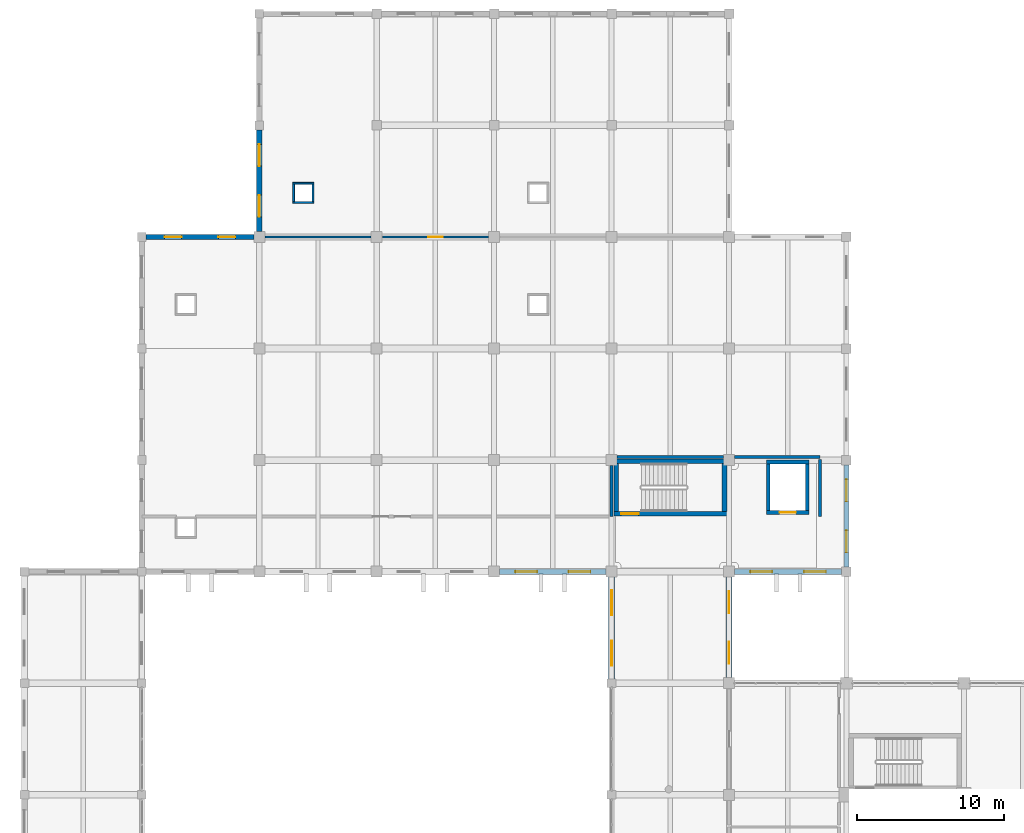
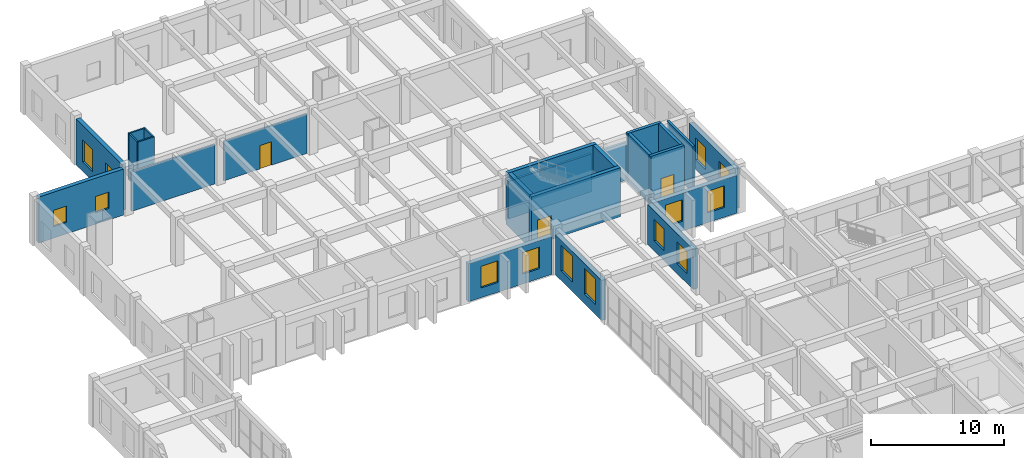
# One storey, part 58 of 79: 25 walls, 14 windows, 3 doors, 17 openings.
"""IFC4 building model written with IfcOpenShell, lengths in metres."""

from ifc_helpers import new_model, si_unit, direction, frame, frame_2d, origin, place, context, subcontext, project, spatial, rectangle, extrude, material, layer, layer_set, type_object, element, fill, save


model = new_model("IFC4")

# Units and contexts
model_context = context("Model", 3, precision=1e-05, world=origin(), true_north=direction((0.0, 1.0)))
body_context = subcontext(model_context, "Body", "Model", "MODEL_VIEW")
ifc_project = project(units=[si_unit("LENGTHUNIT", "METRE"), si_unit("AREAUNIT", "SQUARE_METRE"), si_unit("VOLUMEUNIT", "CUBIC_METRE"), si_unit("PLANEANGLEUNIT", "RADIAN"), si_unit("MASSUNIT", "GRAM", prefix="KILO")], contexts=[model_context])

# Site, building, storey
site_placement = place(None, origin())
site = spatial("IfcSite", under=ifc_project, at=site_placement, CompositionType="ELEMENT")
building_placement = place(site_placement, origin())
building = spatial("IfcBuilding", under=site, at=building_placement, Name="Zantavel Square City Hall", CompositionType="ELEMENT")
storey_placement = place(building_placement, frame((0.0, 0.0, 10.199951171875)))
storey = spatial("IfcBuildingStorey", under=building, at=storey_placement, Name="L03", CompositionType="ELEMENT", Elevation=10.199951171875)

# Wall, openings, windows
ifc_material_1 = material(Name="Cantera volcanic tuff stone", Category="masonry")
ifc_layer_1 = layer(ifc_material_1, 0.39990234375, Name="Cantera volcanic tuff stone")
ifc_layer_set_1 = layer_set([ifc_layer_1], Name="Cantera volcanic tuff stone")
wall_type_1 = type_object("IfcWallType", Name="Civic Pavilion Cantera Ashlar Wall 400mm", PredefinedType="STANDARD", material=ifc_layer_set_1)
wall_1_placement = place(storey_placement, frame((56.0, 75.625, 0.0), z_axis=(0.0, 0.0, 1.0), x_axis=(0.0, -1.0, 0.0)))
wall_1 = element("IfcWall", 1, at=wall_1_placement, inside=storey, type_object=wall_type_1, Name="L03 Exterior Wall EW-L03-022", PredefinedType="STANDARD", context=body_context, shape_type="SweptSolid", body=[
    extrude(rectangle(XDim=6.85009765625, YDim=0.39990234375, at=frame_2d((3.425048828125, 0.0))), origin(), (0.0, 0.0, 1.0), 3.670166015625),
])
opening_1_placement = place(wall_1_placement, frame((0.96240234375, 0.0, 0.89990234375)))
opening_1 = element("IfcOpeningElement", 2, at=opening_1_placement, cuts=wall_1, Name="Opening W-322", PredefinedType="OPENING", context=body_context, shape_type="SweptSolid", body=[
    extrude(rectangle(XDim=1.5, YDim=2.0, at=frame_2d((0.75, 1.0))), frame((0.0, 0.2099609375, 0.0), z_axis=(0.0, -1.0, 0.0), x_axis=(1.0, 0.0, 0.0)), (0.0, 0.0, 1.0), 0.419921875),
])
opening_2_placement = place(wall_1_placement, frame((4.387451171875, 0.0, 0.89990234375)))
opening_2 = element("IfcOpeningElement", 3, at=opening_2_placement, cuts=wall_1, Name="Opening W-323", PredefinedType="OPENING", context=body_context, shape_type="SweptSolid", body=[
    extrude(rectangle(XDim=1.5, YDim=2.0, at=frame_2d((0.75, 1.0))), frame((0.0, 0.2099609375, 0.0), z_axis=(0.0, -1.0, 0.0), x_axis=(1.0, 0.0, 0.0)), (0.0, 0.0, 1.0), 0.419921875),
])
ifc_material_2 = material(Name="Tempered safety glass low-E double glazing", Category="glass")
window_type_1 = type_object("IfcWindowType", Name="Window Planning Studio 1500x2000", PartitioningType="DOUBLE_PANEL_VERTICAL", PredefinedType="WINDOW", material=ifc_material_2)
window_1_placement = place(opening_1_placement, origin())
window_1 = element("IfcWindow", 4, at=window_1_placement, inside=storey, type_object=window_type_1, Name="L03 Window W-322", OverallHeight=2.0, OverallWidth=1.5, PartitioningType="DOUBLE_PANEL_VERTICAL", PredefinedType="WINDOW", context=body_context, shape_type="SweptSolid", body=[
    extrude(rectangle(XDim=1.5, YDim=2.0, at=frame_2d((0.75, 1.0))), frame((0.0, 0.030029296875, 0.0), z_axis=(0.0, -1.0, 0.0), x_axis=(1.0, 0.0, 0.0)), (0.0, 0.0, 1.0), 0.06005859375),
])
fill(opening_1, window_1)
window_2_placement = place(opening_2_placement, origin())
window_2 = element("IfcWindow", 5, at=window_2_placement, inside=storey, type_object=window_type_1, Name="L03 Window W-323", OverallHeight=2.0, OverallWidth=1.5, PartitioningType="DOUBLE_PANEL_VERTICAL", PredefinedType="WINDOW", context=body_context, shape_type="SweptSolid", body=[
    extrude(rectangle(XDim=1.5, YDim=2.0, at=frame_2d((0.75, 1.0))), frame((0.0, 0.030029296875, 0.0), z_axis=(0.0, -1.0, 0.0), x_axis=(1.0, 0.0, 0.0)), (0.0, 0.0, 1.0), 0.06005859375),
])
fill(opening_2, window_2)

wall_2_placement = place(storey_placement, frame((48.0, 68.699951171875, 0.0), z_axis=(0.0, 0.0, 1.0), x_axis=(0.0, 1.0, 0.0)))
wall_2 = element("IfcWall", 6, at=wall_2_placement, inside=storey, type_object=wall_type_1, Name="L03 Exterior Wall EW-L03-074", PredefinedType="STANDARD", context=body_context, shape_type="SweptSolid", body=[
    extrude(rectangle(XDim=6.925048828125, YDim=0.39990234375, at=frame_2d((3.46240234375, 0.0))), origin(), (0.0, 0.0, 1.0), 3.670166015625),
])
opening_3_placement = place(wall_2_placement, frame((0.881103515625, 0.0, 0.89990234375)))
opening_3 = element("IfcOpeningElement", 7, at=opening_3_placement, cuts=wall_2, Name="Opening W-372", PredefinedType="OPENING", context=body_context, shape_type="SweptSolid", body=[
    extrude(rectangle(XDim=1.699951171875, YDim=2.35009765625, at=frame_2d((0.85009765625, 1.175048828125))), frame((0.0, 0.2099609375, 0.0), z_axis=(0.0, -1.0, 0.0), x_axis=(1.0, 0.0, 0.0)), (0.0, 0.0, 1.0), 0.419921875),
])
opening_4_placement = place(wall_2_placement, frame((4.34375, 0.0, 0.89990234375)))
opening_4 = element("IfcOpeningElement", 8, at=opening_4_placement, cuts=wall_2, Name="Opening W-373", PredefinedType="OPENING", context=body_context, shape_type="SweptSolid", body=[
    extrude(rectangle(XDim=1.699951171875, YDim=2.35009765625, at=frame_2d((0.85009765625, 1.175048828125))), frame((0.0, 0.2099609375, 0.0), z_axis=(0.0, -1.0, 0.0), x_axis=(1.0, 0.0, 0.0)), (0.0, 0.0, 1.0), 0.419921875),
])
window_type_2 = type_object("IfcWindowType", Name="Window Library Reading Tall 1700x2350", PartitioningType="DOUBLE_PANEL_VERTICAL", PredefinedType="WINDOW", material=ifc_material_2)
window_3_placement = place(opening_3_placement, origin())
window_3 = element("IfcWindow", 9, at=window_3_placement, inside=storey, type_object=window_type_2, Name="L03 Window W-372", OverallHeight=2.35009765625, OverallWidth=1.699951171875, PartitioningType="DOUBLE_PANEL_VERTICAL", PredefinedType="WINDOW", context=body_context, shape_type="SweptSolid", body=[
    extrude(rectangle(XDim=1.699951171875, YDim=2.35009765625, at=frame_2d((0.85009765625, 1.175048828125))), frame((0.0, 0.030029296875, 0.0), z_axis=(0.0, -1.0, 0.0), x_axis=(1.0, 0.0, 0.0)), (0.0, 0.0, 1.0), 0.06005859375),
])
fill(opening_3, window_3)
window_4_placement = place(opening_4_placement, origin())
window_4 = element("IfcWindow", 10, at=window_4_placement, inside=storey, type_object=window_type_2, Name="L03 Window W-373", OverallHeight=2.35009765625, OverallWidth=1.699951171875, PartitioningType="DOUBLE_PANEL_VERTICAL", PredefinedType="WINDOW", context=body_context, shape_type="SweptSolid", body=[
    extrude(rectangle(XDim=1.699951171875, YDim=2.35009765625, at=frame_2d((0.85009765625, 1.175048828125))), frame((0.0, 0.030029296875, 0.0), z_axis=(0.0, -1.0, 0.0), x_axis=(1.0, 0.0, 0.0)), (0.0, 0.0, 1.0), 0.06005859375),
])
fill(opening_4, window_4)

# Wall, opening, door
ifc_material_3 = material(Name="Concrete C40/50", Category="concrete")
ifc_layer_2 = layer(ifc_material_3, 0.320068359375, Name="Concrete C40/50")
ifc_layer_set_2 = layer_set([ifc_layer_2], Name="Concrete C40/50")
wall_type_2 = type_object("IfcWallType", Name="Core Shear Wall RC 320mm C40/50", PredefinedType="SHEAR", material=ifc_layer_set_2)
wall_3_placement = place(storey_placement, frame((55.85009765625, 79.93994140625, 0.0), z_axis=(0.0, 0.0, 1.0), x_axis=(-1.0, 0.0, 0.0)))
wall_3 = element("IfcWall", 11, at=wall_3_placement, inside=storey, type_object=wall_type_2, Name="L03 Exit Stair 1 North-West Core Shear Wall South", PredefinedType="SHEAR", context=body_context, shape_type="SweptSolid", body=[
    extrude(rectangle(XDim=7.7001953125, YDim=0.320068359375, at=frame_2d((3.85009765625, 0.0))), origin(), (0.0, 0.0, 1.0), 4.5),
])
opening_5_placement = place(wall_3_placement, frame((6.0, 0.0, 0.0)))
opening_5 = element("IfcOpeningElement", 12, at=opening_5_placement, cuts=wall_3, Name="Opening SD-004", PredefinedType="OPENING", context=body_context, shape_type="SweptSolid", body=[
    extrude(rectangle(XDim=1.199951171875, YDim=2.199951171875, at=frame_2d((0.60009765625, 1.10009765625))), frame((0.0, 0.169921875, 0.0), z_axis=(0.0, -1.0, 0.0), x_axis=(1.0, 0.0, 0.0)), (0.0, 0.0, 1.0), 0.340087890625),
])
ifc_material_4 = material(Name="Steel ASTM A500 Grade B", Category="steel")
door_type_1 = type_object("IfcDoorType", Name="Enclosed Exit Stairwell Fire Door 1200x2200 FD90S", OperationType="NOTDEFINED", PredefinedType="DOOR", material=ifc_material_4)
door_1_placement = place(opening_5_placement, origin())
door_1 = element("IfcDoor", 13, at=door_1_placement, inside=storey, type_object=door_type_1, Name="L03 Exit Stair 1 North-West Core Fire Door", OperationType="SINGLE_SWING_RIGHT", OverallHeight=2.199951171875, OverallWidth=1.199951171875, PredefinedType="DOOR", context=body_context, shape_type="SweptSolid", body=[
    extrude(rectangle(XDim=1.199951171875, YDim=2.199951171875, at=frame_2d((0.60009765625, 1.10009765625))), frame((0.0, 0.02490234375, 0.0), z_axis=(0.0, -1.0, 0.0), x_axis=(1.0, 0.0, 0.0)), (0.0, 0.0, 1.0), 0.050048828125),
])
fill(opening_5, door_1)

# Walls
wall_4_placement = place(storey_placement, frame((48.31005859375, 80.10009765625, 0.0), z_axis=(0.0, 0.0, 1.0), x_axis=(0.0, 1.0, 0.0)))
element("IfcWall", 14, at=wall_4_placement, inside=storey, type_object=wall_type_2, Name="L03 Exit Stair 1 North-West Core Shear Wall West", PredefinedType="SHEAR", context=body_context, shape_type="SweptSolid", body=[
    extrude(rectangle(XDim=3.27001953125, YDim=0.320068359375, at=frame_2d((1.635009765625, 0.0))), origin(), (0.0, 0.0, 1.0), 4.5),
])
wall_5_placement = place(storey_placement, frame((48.14990234375, 83.530029296875, 0.0), z_axis=(0.0, 0.0, 1.0), x_axis=(1.0, 0.0, 0.0)))
element("IfcWall", 15, at=wall_5_placement, inside=storey, type_object=wall_type_2, Name="L03 Exit Stair 1 North-West Core Shear Wall North", PredefinedType="SHEAR", context=body_context, shape_type="SweptSolid", body=[
    extrude(rectangle(XDim=7.7001953125, YDim=0.320068359375, at=frame_2d((3.85009765625, 0.0))), origin(), (0.0, 0.0, 1.0), 4.5),
])
wall_6_placement = place(storey_placement, frame((55.68994140625, 83.3701171875, 0.0), z_axis=(0.0, 0.0, 1.0), x_axis=(0.0, -1.0, 0.0)))
element("IfcWall", 16, at=wall_6_placement, inside=storey, type_object=wall_type_2, Name="L03 Exit Stair 1 North-West Core Shear Wall East", PredefinedType="SHEAR", context=body_context, shape_type="SweptSolid", body=[
    extrude(rectangle(XDim=3.27001953125, YDim=0.320068359375, at=frame_2d((1.635009765625, 0.0))), origin(), (0.0, 0.0, 1.0), 4.5),
])

# Wall, openings, windows
ifc_layer_3 = layer(ifc_material_1, 0.360107421875, Name="Cantera volcanic tuff stone")
ifc_layer_set_3 = layer_set([ifc_layer_3], Name="Cantera volcanic tuff stone")
wall_type_3 = type_object("IfcWallType", Name="Courtyard Cantera Facade Wall 360mm", PredefinedType="STANDARD", material=ifc_layer_set_3)
wall_7_placement = place(storey_placement, frame((24.0, 99.175048828125, 0.0), z_axis=(0.0, 0.0, 1.0), x_axis=(0.0, 1.0, 0.0)))
wall_7 = element("IfcWall", 17, at=wall_7_placement, inside=storey, type_object=wall_type_3, Name="L03 Exterior Wall EW-L03-006", PredefinedType="STANDARD", context=body_context, shape_type="SweptSolid", body=[
    extrude(rectangle(XDim=6.925048828125, YDim=0.360107421875, at=frame_2d((3.46240234375, 0.0))), origin(), (0.0, 0.0, 1.0), 4.219970703125),
])
opening_6_placement = place(wall_7_placement, frame((0.9912109375, 0.0, 0.89990234375)))
opening_6 = element("IfcOpeningElement", 18, at=opening_6_placement, cuts=wall_7, Name="Opening W-296", PredefinedType="OPENING", context=body_context, shape_type="SweptSolid", body=[
    extrude(rectangle(XDim=1.47998046875, YDim=1.97998046875, at=frame_2d((0.739990234375, 0.989990234375))), frame((0.0, 0.18994140625, 0.0), z_axis=(0.0, -1.0, 0.0), x_axis=(1.0, 0.0, 0.0)), (0.0, 0.0, 1.0), 0.380126953125),
])
opening_7_placement = place(wall_7_placement, frame((4.45361328125, 0.0, 0.89990234375)))
opening_7 = element("IfcOpeningElement", 19, at=opening_7_placement, cuts=wall_7, Name="Opening W-297", PredefinedType="OPENING", context=body_context, shape_type="SweptSolid", body=[
    extrude(rectangle(XDim=1.47998046875, YDim=1.97998046875, at=frame_2d((0.739990234375, 0.989990234375))), frame((0.0, 0.18994140625, 0.0), z_axis=(0.0, -1.0, 0.0), x_axis=(1.0, 0.0, 0.0)), (0.0, 0.0, 1.0), 0.380126953125),
])
window_type_3 = type_object("IfcWindowType", Name="Window Cadastral Studio 1480x1980", PartitioningType="DOUBLE_PANEL_VERTICAL", PredefinedType="WINDOW", material=ifc_material_2)
window_5_placement = place(opening_6_placement, origin())
window_5 = element("IfcWindow", 20, at=window_5_placement, inside=storey, type_object=window_type_3, Name="L03 Window W-296", OverallHeight=1.97998046875, OverallWidth=1.47998046875, PartitioningType="DOUBLE_PANEL_VERTICAL", PredefinedType="WINDOW", context=body_context, shape_type="SweptSolid", body=[
    extrude(rectangle(XDim=1.47998046875, YDim=1.97998046875, at=frame_2d((0.739990234375, 0.989990234375))), frame((0.0, 0.030029296875, 0.0), z_axis=(0.0, -1.0, 0.0), x_axis=(1.0, 0.0, 0.0)), (0.0, 0.0, 1.0), 0.06005859375),
])
fill(opening_6, window_5)
window_6_placement = place(opening_7_placement, origin())
window_6 = element("IfcWindow", 21, at=window_6_placement, inside=storey, type_object=window_type_3, Name="L03 Window W-297", OverallHeight=1.97998046875, OverallWidth=1.47998046875, PartitioningType="DOUBLE_PANEL_VERTICAL", PredefinedType="WINDOW", context=body_context, shape_type="SweptSolid", body=[
    extrude(rectangle(XDim=1.47998046875, YDim=1.97998046875, at=frame_2d((0.739990234375, 0.989990234375))), frame((0.0, 0.030029296875, 0.0), z_axis=(0.0, -1.0, 0.0), x_axis=(1.0, 0.0, 0.0)), (0.0, 0.0, 1.0), 0.06005859375),
])
fill(opening_7, window_6)

wall_8_placement = place(storey_placement, frame((64.0, 83.27490234375, 0.0), z_axis=(0.0, 0.0, 1.0), x_axis=(0.0, -1.0, 0.0)))
wall_8 = element("IfcWall", 22, at=wall_8_placement, inside=storey, type_object=wall_type_3, Name="L03 Exterior Wall EW-L03-020", PredefinedType="STANDARD", context=body_context, shape_type="SweptSolid", body=[
    extrude(rectangle(XDim=6.949951171875, YDim=0.360107421875, at=frame_2d((3.47509765625, 0.0))), origin(), (0.0, 0.0, 1.0), 3.670166015625),
])
opening_8_placement = place(wall_8_placement, frame((0.987548828125, 0.0, 0.89990234375)))
opening_8 = element("IfcOpeningElement", 23, at=opening_8_placement, cuts=wall_8, Name="Opening W-318", PredefinedType="OPENING", context=body_context, shape_type="SweptSolid", body=[
    extrude(rectangle(XDim=1.5, YDim=2.0, at=frame_2d((0.75, 1.0))), frame((0.0, 0.18994140625, 0.0), z_axis=(0.0, -1.0, 0.0), x_axis=(1.0, 0.0, 0.0)), (0.0, 0.0, 1.0), 0.380126953125),
])
opening_9_placement = place(wall_8_placement, frame((4.46240234375, 0.0, 0.89990234375)))
opening_9 = element("IfcOpeningElement", 24, at=opening_9_placement, cuts=wall_8, Name="Opening W-319", PredefinedType="OPENING", context=body_context, shape_type="SweptSolid", body=[
    extrude(rectangle(XDim=1.5, YDim=2.0, at=frame_2d((0.75, 1.0))), frame((0.0, 0.18994140625, 0.0), z_axis=(0.0, -1.0, 0.0), x_axis=(1.0, 0.0, 0.0)), (0.0, 0.0, 1.0), 0.380126953125),
])
window_7_placement = place(opening_8_placement, origin())
window_7 = element("IfcWindow", 25, at=window_7_placement, inside=storey, type_object=window_type_1, Name="L03 Window W-318", OverallHeight=2.0, OverallWidth=1.5, PartitioningType="DOUBLE_PANEL_VERTICAL", PredefinedType="WINDOW", context=body_context, shape_type="SweptSolid", body=[
    extrude(rectangle(XDim=1.5, YDim=2.0, at=frame_2d((0.75, 1.0))), frame((0.0, 0.030029296875, 0.0), z_axis=(0.0, -1.0, 0.0), x_axis=(1.0, 0.0, 0.0)), (0.0, 0.0, 1.0), 0.06005859375),
])
fill(opening_8, window_7)
window_8_placement = place(opening_9_placement, origin())
window_8 = element("IfcWindow", 26, at=window_8_placement, inside=storey, type_object=window_type_1, Name="L03 Window W-319", OverallHeight=2.0, OverallWidth=1.5, PartitioningType="DOUBLE_PANEL_VERTICAL", PredefinedType="WINDOW", context=body_context, shape_type="SweptSolid", body=[
    extrude(rectangle(XDim=1.5, YDim=2.0, at=frame_2d((0.75, 1.0))), frame((0.0, 0.030029296875, 0.0), z_axis=(0.0, -1.0, 0.0), x_axis=(1.0, 0.0, 0.0)), (0.0, 0.0, 1.0), 0.06005859375),
])
fill(opening_9, window_8)

wall_9_placement = place(storey_placement, frame((63.675048828125, 76.0, 0.0), z_axis=(0.0, 0.0, 1.0), x_axis=(-1.0, 0.0, 0.0)))
wall_9 = element("IfcWall", 27, at=wall_9_placement, inside=storey, type_object=wall_type_3, Name="L03 Exterior Wall EW-L03-021", PredefinedType="STANDARD", context=body_context, shape_type="SweptSolid", body=[
    extrude(rectangle(XDim=7.300048828125, YDim=0.360107421875, at=frame_2d((3.64990234375, 0.0))), origin(), (0.0, 0.0, 1.0), 3.469970703125),
])
opening_10_placement = place(wall_9_placement, frame((1.0849609375, 0.0, 0.89990234375)))
opening_10 = element("IfcOpeningElement", 28, at=opening_10_placement, cuts=wall_9, Name="Opening W-320", PredefinedType="OPENING", context=body_context, shape_type="SweptSolid", body=[
    extrude(rectangle(XDim=1.47998046875, YDim=1.97998046875, at=frame_2d((0.739990234375, 0.989990234375))), frame((0.0, 0.18994140625, 0.0), z_axis=(0.0, -1.0, 0.0), x_axis=(1.0, 0.0, 0.0)), (0.0, 0.0, 1.0), 0.380126953125),
])
opening_11_placement = place(wall_9_placement, frame((4.735107421875, 0.0, 0.89990234375)))
opening_11 = element("IfcOpeningElement", 29, at=opening_11_placement, cuts=wall_9, Name="Opening W-321", PredefinedType="OPENING", context=body_context, shape_type="SweptSolid", body=[
    extrude(rectangle(XDim=1.47998046875, YDim=1.97998046875, at=frame_2d((0.739990234375, 0.989990234375))), frame((0.0, 0.18994140625, 0.0), z_axis=(0.0, -1.0, 0.0), x_axis=(1.0, 0.0, 0.0)), (0.0, 0.0, 1.0), 0.380126953125),
])
window_9_placement = place(opening_10_placement, origin())
window_9 = element("IfcWindow", 30, at=window_9_placement, inside=storey, type_object=window_type_3, Name="L03 Window W-320", OverallHeight=1.97998046875, OverallWidth=1.47998046875, PartitioningType="DOUBLE_PANEL_VERTICAL", PredefinedType="WINDOW", context=body_context, shape_type="SweptSolid", body=[
    extrude(rectangle(XDim=1.47998046875, YDim=1.97998046875, at=frame_2d((0.739990234375, 0.989990234375))), frame((0.0, 0.030029296875, 0.0), z_axis=(0.0, -1.0, 0.0), x_axis=(1.0, 0.0, 0.0)), (0.0, 0.0, 1.0), 0.06005859375),
])
fill(opening_10, window_9)
window_10_placement = place(opening_11_placement, origin())
window_10 = element("IfcWindow", 31, at=window_10_placement, inside=storey, type_object=window_type_3, Name="L03 Window W-321", OverallHeight=1.97998046875, OverallWidth=1.47998046875, PartitioningType="DOUBLE_PANEL_VERTICAL", PredefinedType="WINDOW", context=body_context, shape_type="SweptSolid", body=[
    extrude(rectangle(XDim=1.47998046875, YDim=1.97998046875, at=frame_2d((0.739990234375, 0.989990234375))), frame((0.0, 0.030029296875, 0.0), z_axis=(0.0, -1.0, 0.0), x_axis=(1.0, 0.0, 0.0)), (0.0, 0.0, 1.0), 0.06005859375),
])
fill(opening_11, window_10)

wall_10_placement = place(storey_placement, frame((47.625, 76.0, 0.0), z_axis=(0.0, 0.0, 1.0), x_axis=(-1.0, 0.0, 0.0)))
wall_10 = element("IfcWall", 32, at=wall_10_placement, inside=storey, type_object=wall_type_3, Name="L03 Exterior Wall EW-L03-075", PredefinedType="STANDARD", context=body_context, shape_type="SweptSolid", body=[
    extrude(rectangle(XDim=7.25, YDim=0.360107421875, at=frame_2d((3.625, 0.0))), origin(), (0.0, 0.0, 1.0), 3.469970703125),
])
opening_12_placement = place(wall_10_placement, frame((1.072509765625, 0.0, 0.89990234375)))
opening_12 = element("IfcOpeningElement", 33, at=opening_12_placement, cuts=wall_10, Name="Opening W-374", PredefinedType="OPENING", context=body_context, shape_type="SweptSolid", body=[
    extrude(rectangle(XDim=1.47998046875, YDim=1.97998046875, at=frame_2d((0.739990234375, 0.989990234375))), frame((0.0, 0.18994140625, 0.0), z_axis=(0.0, -1.0, 0.0), x_axis=(1.0, 0.0, 0.0)), (0.0, 0.0, 1.0), 0.380126953125),
])
opening_13_placement = place(wall_10_placement, frame((4.697509765625, 0.0, 0.89990234375)))
opening_13 = element("IfcOpeningElement", 34, at=opening_13_placement, cuts=wall_10, Name="Opening W-375", PredefinedType="OPENING", context=body_context, shape_type="SweptSolid", body=[
    extrude(rectangle(XDim=1.47998046875, YDim=1.97998046875, at=frame_2d((0.739990234375, 0.989990234375))), frame((0.0, 0.18994140625, 0.0), z_axis=(0.0, -1.0, 0.0), x_axis=(1.0, 0.0, 0.0)), (0.0, 0.0, 1.0), 0.380126953125),
])
window_11_placement = place(opening_12_placement, origin())
window_11 = element("IfcWindow", 35, at=window_11_placement, inside=storey, type_object=window_type_3, Name="L03 Window W-374", OverallHeight=1.97998046875, OverallWidth=1.47998046875, PartitioningType="DOUBLE_PANEL_VERTICAL", PredefinedType="WINDOW", context=body_context, shape_type="SweptSolid", body=[
    extrude(rectangle(XDim=1.47998046875, YDim=1.97998046875, at=frame_2d((0.739990234375, 0.989990234375))), frame((0.0, 0.030029296875, 0.0), z_axis=(0.0, -1.0, 0.0), x_axis=(1.0, 0.0, 0.0)), (0.0, 0.0, 1.0), 0.06005859375),
])
fill(opening_12, window_11)
window_12_placement = place(opening_13_placement, origin())
window_12 = element("IfcWindow", 36, at=window_12_placement, inside=storey, type_object=window_type_3, Name="L03 Window W-375", OverallHeight=1.97998046875, OverallWidth=1.47998046875, PartitioningType="DOUBLE_PANEL_VERTICAL", PredefinedType="WINDOW", context=body_context, shape_type="SweptSolid", body=[
    extrude(rectangle(XDim=1.47998046875, YDim=1.97998046875, at=frame_2d((0.739990234375, 0.989990234375))), frame((0.0, 0.030029296875, 0.0), z_axis=(0.0, -1.0, 0.0), x_axis=(1.0, 0.0, 0.0)), (0.0, 0.0, 1.0), 0.06005859375),
])
fill(opening_13, window_12)

# Wall
ifc_material_5 = material(Name="Gypsum acoustic stud assembly", Category="masonry")
ifc_layer_4 = layer(ifc_material_5, 0.14990234375, Name="Gypsum acoustic stud assembly")
ifc_layer_set_4 = layer_set([ifc_layer_4], Name="Gypsum acoustic stud assembly")
wall_type_4 = type_object("IfcWallType", Name="Department Office Partition 150mm", PredefinedType="PARTITIONING", material=ifc_layer_set_4)
wall_11_placement = place(storey_placement, frame((24.385009765625, 98.800048828125, 0.0), z_axis=(0.0, 0.0, 1.0), x_axis=(1.0, 0.0, 0.0)))
element("IfcWall", 37, at=wall_11_placement, inside=storey, type_object=wall_type_4, Name="L03 Interior Wall IW-L03-0284", PredefinedType="PARTITIONING", context=body_context, shape_type="SweptSolid", body=[
    extrude(rectangle(XDim=7.22998046875, YDim=0.14990234375, at=frame_2d((3.614990234375, 0.0))), origin(), (0.0, 0.0, 1.0), 3.6201171875),
])

# Wall, opening, door
wall_12_placement = place(storey_placement, frame((32.385009765625, 98.800048828125, 0.0), z_axis=(0.0, 0.0, 1.0), x_axis=(1.0, 0.0, 0.0)))
wall_12 = element("IfcWall", 38, at=wall_12_placement, inside=storey, type_object=wall_type_4, Name="L03 Interior Wall IW-L03-0285", PredefinedType="PARTITIONING", context=body_context, shape_type="SweptSolid", body=[
    extrude(rectangle(XDim=7.22998046875, YDim=0.14990234375, at=frame_2d((3.614990234375, 0.0))), origin(), (0.0, 0.0, 1.0), 3.6201171875),
])
opening_14_placement = place(wall_12_placement, frame((3.114990234375, 0.0, 0.0)))
opening_14 = element("IfcOpeningElement", 39, at=opening_14_placement, cuts=wall_12, Name="Opening D-0143", PredefinedType="OPENING", context=body_context, shape_type="SweptSolid", body=[
    extrude(rectangle(XDim=1.0, YDim=2.14990234375, at=frame_2d((0.5, 1.074951171875))), frame((0.0, 0.0849609375, 0.0), z_axis=(0.0, -1.0, 0.0), x_axis=(1.0, 0.0, 0.0)), (0.0, 0.0, 1.0), 0.169921875),
])
ifc_material_6 = material(Name="Solid oak hardwood", Category="wood")
door_type_2 = type_object("IfcDoorType", Name="Suite Internal Oak Single Door 1000x2150", OperationType="NOTDEFINED", PredefinedType="DOOR", material=ifc_material_6)
door_2_placement = place(opening_14_placement, origin())
door_2 = element("IfcDoor", 40, at=door_2_placement, inside=storey, type_object=door_type_2, Name="L03 Environmental Sustainability Directorate Door", OperationType="SINGLE_SWING_LEFT", OverallHeight=2.14990234375, OverallWidth=1.0, PredefinedType="DOOR", context=body_context, shape_type="SweptSolid", body=[
    extrude(rectangle(XDim=1.0, YDim=2.14990234375, at=frame_2d((0.5, 1.074951171875))), frame((0.0, 0.02490234375, 0.0), z_axis=(0.0, -1.0, 0.0), x_axis=(1.0, 0.0, 0.0)), (0.0, 0.0, 1.0), 0.050048828125),
])
fill(opening_14, door_2)

# Walls
ifc_layer_5 = layer(ifc_material_1, 0.199951171875, Name="Cantera volcanic tuff stone")
ifc_layer_set_5 = layer_set([ifc_layer_5], Name="Cantera volcanic tuff stone")
wall_type_5 = type_object("IfcWallType", Name="Exit Corridor Rated Wall 200mm", PredefinedType="STANDARD", material=ifc_layer_set_5)
wall_13_placement = place(storey_placement, frame((48.0, 79.75, 0.0), z_axis=(0.0, 0.0, 1.0), x_axis=(0.0, 1.0, 0.0)))
element("IfcWall", 41, at=wall_13_placement, inside=storey, type_object=wall_type_5, Name="L03 Interior Wall IW-L03-0232", PredefinedType="STANDARD", context=body_context, shape_type="SweptSolid", body=[
    extrude(rectangle(XDim=3.465087890625, YDim=0.199951171875, at=frame_2d((1.732421875, 0.0))), origin(), (0.0, 0.0, 1.0), 3.670166015625),
])
wall_14_placement = place(storey_placement, frame((48.385009765625, 83.800048828125, 0.0), z_axis=(0.0, 0.0, 1.0), x_axis=(1.0, 0.0, 0.0)))
element("IfcWall", 42, at=wall_14_placement, inside=storey, type_object=wall_type_5, Name="L03 Interior Wall IW-L03-0233", PredefinedType="STANDARD", context=body_context, shape_type="SweptSolid", body=[
    extrude(rectangle(XDim=7.22998046875, YDim=0.199951171875, at=frame_2d((3.614990234375, 0.0))), origin(), (0.0, 0.0, 1.0), 3.469970703125),
])
wall_15_placement = place(storey_placement, frame((56.385009765625, 83.800048828125, 0.0), z_axis=(0.0, 0.0, 1.0), x_axis=(1.0, 0.0, 0.0)))
element("IfcWall", 43, at=wall_15_placement, inside=storey, type_object=wall_type_5, Name="L03 Interior Wall IW-L03-0234", PredefinedType="STANDARD", context=body_context, shape_type="SweptSolid", body=[
    extrude(rectangle(XDim=5.81494140625, YDim=0.199951171875, at=frame_2d((2.907470703125, 0.0))), origin(), (0.0, 0.0, 1.0), 3.469970703125),
])
wall_16_placement = place(storey_placement, frame((62.199951171875, 83.64990234375, 0.0), z_axis=(0.0, 0.0, 1.0), x_axis=(0.0, -1.0, 0.0)))
element("IfcWall", 44, at=wall_16_placement, inside=storey, type_object=wall_type_5, Name="L03 Interior Wall IW-L03-0235", PredefinedType="STANDARD", context=body_context, shape_type="SweptSolid", body=[
    extrude(rectangle(XDim=3.89990234375, YDim=0.199951171875, at=frame_2d((1.949951171875, 0.0))), origin(), (0.0, 0.0, 1.0), 4.260009765625),
])

# Wall, opening, door
ifc_layer_6 = layer(ifc_material_3, 0.25, Name="Concrete C40/50")
ifc_layer_set_6 = layer_set([ifc_layer_6], Name="Concrete C40/50")
wall_type_6 = type_object("IfcWallType", Name="Lift Shaft Wall RC 250mm C40/50", PredefinedType="SHEAR", material=ifc_layer_set_6)
wall_17_placement = place(storey_placement, frame((61.449951171875, 80.02490234375, 0.0), z_axis=(0.0, 0.0, 1.0), x_axis=(-1.0, 0.0, 0.0)))
wall_17 = element("IfcWall", 45, at=wall_17_placement, inside=storey, type_object=wall_type_6, Name="L03 Lift LF05 Shaft Wall South", PredefinedType="SHEAR", context=body_context, shape_type="SweptSolid", body=[
    extrude(rectangle(XDim=2.89990234375, YDim=0.25, at=frame_2d((1.449951171875, 0.0))), origin(), (0.0, 0.0, 1.0), 4.5),
])
opening_15_placement = place(wall_17_placement, frame((0.89990234375, 0.0, 0.0)))
opening_15 = element("IfcOpeningElement", 46, at=opening_15_placement, cuts=wall_17, Name="Opening LD-LF05-L03", PredefinedType="OPENING", context=body_context, shape_type="SweptSolid", body=[
    extrude(rectangle(XDim=1.10009765625, YDim=2.14990234375, at=frame_2d((0.550048828125, 1.074951171875))), frame((0.0, 0.135009765625, 0.0), z_axis=(0.0, -1.0, 0.0), x_axis=(1.0, 0.0, 0.0)), (0.0, 0.0, 1.0), 0.27001953125),
])
ifc_material_7 = material(Name="Stainless steel 316", Category="steel")
door_type_3 = type_object("IfcDoorType", Name="Lift Landing Sliding Door 1100x2150 FD90S", OperationType="NOTDEFINED", PredefinedType="DOOR", material=ifc_material_7)
door_3_placement = place(opening_15_placement, origin())
door_3 = element("IfcDoor", 47, at=door_3_placement, inside=storey, type_object=door_type_3, Name="L03 Lift LF05 Sliding Landing Door", OperationType="DOUBLE_DOOR_SLIDING", OverallHeight=2.14990234375, OverallWidth=1.10009765625, PredefinedType="DOOR", context=body_context, shape_type="SweptSolid", body=[
    extrude(rectangle(XDim=1.10009765625, YDim=2.14990234375, at=frame_2d((0.550048828125, 1.074951171875))), frame((0.0, 0.02490234375, 0.0), z_axis=(0.0, -1.0, 0.0), x_axis=(1.0, 0.0, 0.0)), (0.0, 0.0, 1.0), 0.050048828125),
])
fill(opening_15, door_3)

# Walls
wall_18_placement = place(storey_placement, frame((58.675048828125, 80.14990234375, 0.0), z_axis=(0.0, 0.0, 1.0), x_axis=(0.0, 1.0, 0.0)))
element("IfcWall", 48, at=wall_18_placement, inside=storey, type_object=wall_type_6, Name="L03 Lift LF05 Shaft Wall West", PredefinedType="SHEAR", context=body_context, shape_type="SweptSolid", body=[
    extrude(rectangle(XDim=3.2001953125, YDim=0.25, at=frame_2d((1.60009765625, 0.0))), origin(), (0.0, 0.0, 1.0), 4.5),
])
wall_19_placement = place(storey_placement, frame((58.550048828125, 83.47509765625, 0.0), z_axis=(0.0, 0.0, 1.0), x_axis=(1.0, 0.0, 0.0)))
element("IfcWall", 49, at=wall_19_placement, inside=storey, type_object=wall_type_6, Name="L03 Lift LF05 Shaft Wall North", PredefinedType="SHEAR", context=body_context, shape_type="SweptSolid", body=[
    extrude(rectangle(XDim=2.89990234375, YDim=0.25, at=frame_2d((1.449951171875, 0.0))), origin(), (0.0, 0.0, 1.0), 4.5),
])
wall_20_placement = place(storey_placement, frame((61.324951171875, 83.35009765625, 0.0), z_axis=(0.0, 0.0, 1.0), x_axis=(0.0, -1.0, 0.0)))
element("IfcWall", 50, at=wall_20_placement, inside=storey, type_object=wall_type_6, Name="L03 Lift LF05 Shaft Wall East", PredefinedType="SHEAR", context=body_context, shape_type="SweptSolid", body=[
    extrude(rectangle(XDim=3.2001953125, YDim=0.25, at=frame_2d((1.60009765625, 0.0))), origin(), (0.0, 0.0, 1.0), 4.5),
])

# Wall, openings, windows
ifc_layer_7 = layer(ifc_material_1, 0.340087890625, Name="Cantera volcanic tuff stone")
ifc_layer_set_7 = layer_set([ifc_layer_7], Name="Cantera volcanic tuff stone")
wall_type_7 = type_object("IfcWallType", Name="North Insulated Cantera Wall 340mm", PredefinedType="STANDARD", material=ifc_layer_set_7)
wall_21_placement = place(storey_placement, frame((16.300048828125, 98.800048828125, 0.0), z_axis=(0.0, 0.0, 1.0), x_axis=(1.0, 0.0, 0.0)))
wall_21 = element("IfcWall", 51, at=wall_21_placement, inside=storey, type_object=wall_type_7, Name="L03 Exterior Wall EW-L03-005", PredefinedType="STANDARD", context=body_context, shape_type="SweptSolid", body=[
    extrude(rectangle(XDim=7.324951171875, YDim=0.340087890625, at=frame_2d((3.66259765625, 0.0))), origin(), (0.0, 0.0, 1.0), 4.219970703125),
])
opening_16_placement = place(wall_21_placement, frame((1.256103515625, 0.0, 1.050048828125)))
opening_16 = element("IfcOpeningElement", 52, at=opening_16_placement, cuts=wall_21, Name="Opening W-294", PredefinedType="OPENING", context=body_context, shape_type="SweptSolid", body=[
    extrude(rectangle(XDim=1.14990234375, YDim=1.5, at=frame_2d((0.574951171875, 0.75))), frame((0.0, 0.179931640625, 0.0), z_axis=(0.0, -1.0, 0.0), x_axis=(1.0, 0.0, 0.0)), (0.0, 0.0, 1.0), 0.360107421875),
])
opening_17_placement = place(wall_21_placement, frame((4.918701171875, 0.0, 1.050048828125)))
opening_17 = element("IfcOpeningElement", 53, at=opening_17_placement, cuts=wall_21, Name="Opening W-295", PredefinedType="OPENING", context=body_context, shape_type="SweptSolid", body=[
    extrude(rectangle(XDim=1.14990234375, YDim=1.5, at=frame_2d((0.574951171875, 0.75))), frame((0.0, 0.179931640625, 0.0), z_axis=(0.0, -1.0, 0.0), x_axis=(1.0, 0.0, 0.0)), (0.0, 0.0, 1.0), 0.360107421875),
])
window_type_4 = type_object("IfcWindowType", Name="Window Piano Nobile North 1150x1500", PartitioningType="SINGLE_PANEL", PredefinedType="WINDOW", material=ifc_material_2)
window_13_placement = place(opening_16_placement, origin())
window_13 = element("IfcWindow", 54, at=window_13_placement, inside=storey, type_object=window_type_4, Name="L03 Window W-294", OverallHeight=1.5, OverallWidth=1.14990234375, PartitioningType="SINGLE_PANEL", PredefinedType="WINDOW", context=body_context, shape_type="SweptSolid", body=[
    extrude(rectangle(XDim=1.14990234375, YDim=1.5, at=frame_2d((0.574951171875, 0.75))), frame((0.0, 0.030029296875, 0.0), z_axis=(0.0, -1.0, 0.0), x_axis=(1.0, 0.0, 0.0)), (0.0, 0.0, 1.0), 0.06005859375),
])
fill(opening_16, window_13)
window_14_placement = place(opening_17_placement, origin())
window_14 = element("IfcWindow", 55, at=window_14_placement, inside=storey, type_object=window_type_4, Name="L03 Window W-295", OverallHeight=1.5, OverallWidth=1.14990234375, PartitioningType="SINGLE_PANEL", PredefinedType="WINDOW", context=body_context, shape_type="SweptSolid", body=[
    extrude(rectangle(XDim=1.14990234375, YDim=1.5, at=frame_2d((0.574951171875, 0.75))), frame((0.0, 0.030029296875, 0.0), z_axis=(0.0, -1.0, 0.0), x_axis=(1.0, 0.0, 0.0)), (0.0, 0.0, 1.0), 0.06005859375),
])
fill(opening_17, window_14)

# Walls
ifc_material_8 = material(Name="Concrete C35/45", Category="concrete")
ifc_layer_8 = layer(ifc_material_8, 0.1201171875, Name="Concrete C35/45")
ifc_layer_set_8 = layer_set([ifc_layer_8], Name="Concrete C35/45")
wall_type_8 = type_object("IfcWallType", Name="Riser Chase Wall RC 120mm C35/45", PredefinedType="PARTITIONING", material=ifc_layer_set_8)
wall_22_placement = place(storey_placement, frame((27.719970703125, 101.139892578125, 0.0), z_axis=(0.0, 0.0, 1.0), x_axis=(-1.0, 0.0, 0.0)))
element("IfcWall", 56, at=wall_22_placement, inside=storey, type_object=wall_type_8, Name="L03 MEP Riser 19 Wall S", PredefinedType="PARTITIONING", context=body_context, shape_type="SweptSolid", body=[
    extrude(rectangle(XDim=1.43994140625, YDim=0.1201171875, at=frame_2d((0.719970703125, 0.0))), origin(), (0.0, 0.0, 1.0), 4.260009765625),
])
wall_23_placement = place(storey_placement, frame((26.340087890625, 101.199951171875, 0.0), z_axis=(0.0, 0.0, 1.0), x_axis=(0.0, 1.0, 0.0)))
element("IfcWall", 57, at=wall_23_placement, inside=storey, type_object=wall_type_8, Name="L03 MEP Riser 19 Wall W", PredefinedType="PARTITIONING", context=body_context, shape_type="SweptSolid", body=[
    extrude(rectangle(XDim=1.199951171875, YDim=0.1201171875, at=frame_2d((0.60009765625, 0.0))), origin(), (0.0, 0.0, 1.0), 4.260009765625),
])
wall_24_placement = place(storey_placement, frame((26.280029296875, 102.4599609375, 0.0), z_axis=(0.0, 0.0, 1.0), x_axis=(1.0, 0.0, 0.0)))
element("IfcWall", 58, at=wall_24_placement, inside=storey, type_object=wall_type_8, Name="L03 MEP Riser 19 Wall N", PredefinedType="PARTITIONING", context=body_context, shape_type="SweptSolid", body=[
    extrude(rectangle(XDim=1.43994140625, YDim=0.1201171875, at=frame_2d((0.719970703125, 0.0))), origin(), (0.0, 0.0, 1.0), 4.260009765625),
])
wall_25_placement = place(storey_placement, frame((27.659912109375, 102.39990234375, 0.0), z_axis=(0.0, 0.0, 1.0), x_axis=(0.0, -1.0, 0.0)))
element("IfcWall", 59, at=wall_25_placement, inside=storey, type_object=wall_type_8, Name="L03 MEP Riser 19 Wall E", PredefinedType="PARTITIONING", context=body_context, shape_type="SweptSolid", body=[
    extrude(rectangle(XDim=1.199951171875, YDim=0.1201171875, at=frame_2d((0.60009765625, 0.0))), origin(), (0.0, 0.0, 1.0), 4.260009765625),
])

save(model, "model.ifc")
